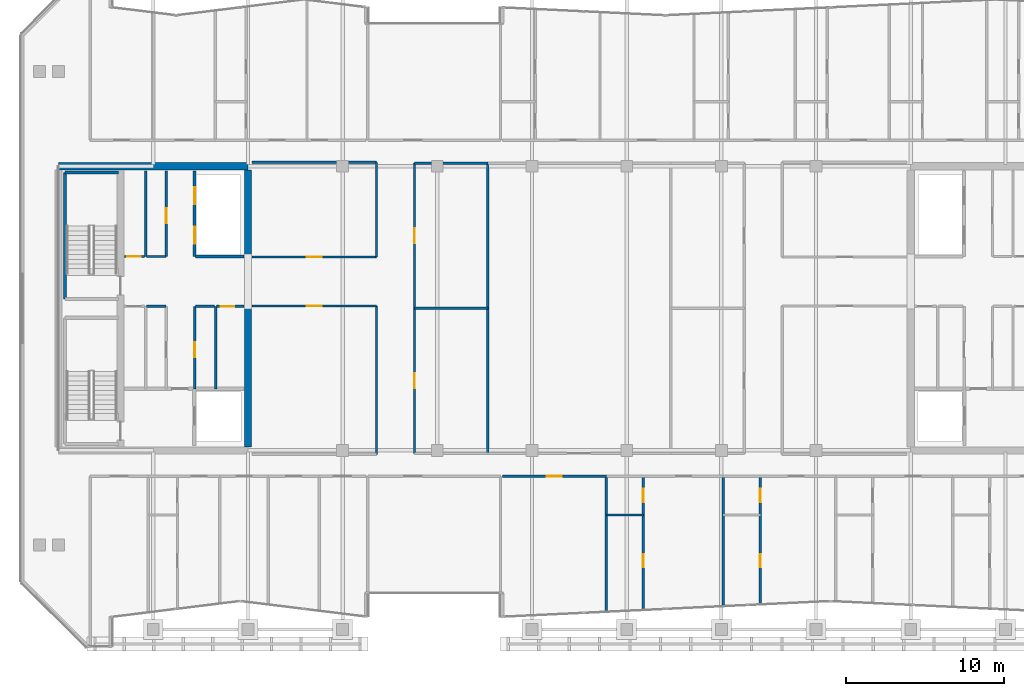
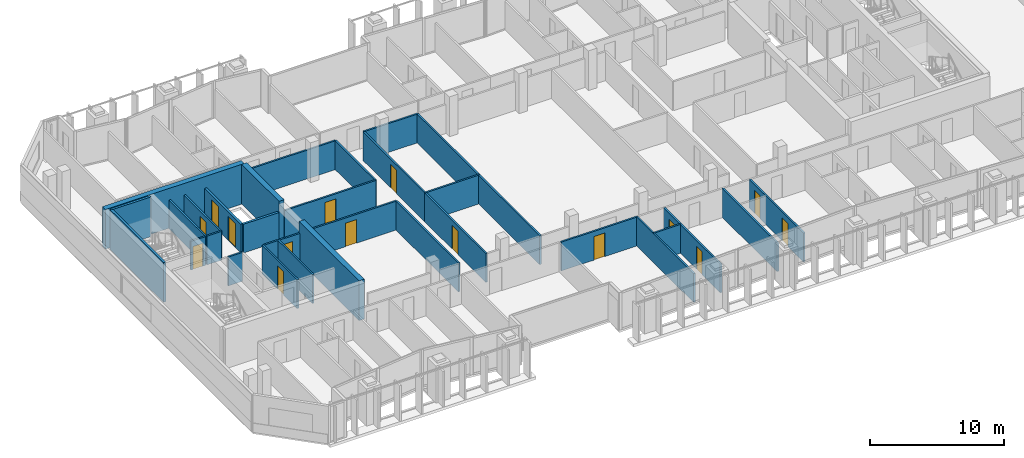
# One storey, part 22 of 32: 32 walls, 15 doors, 15 openings.
"""IFC4 building model written with IfcOpenShell, lengths in metres."""

from ifc_helpers import new_model, si_unit, direction, frame, frame_2d, origin, place, context, subcontext, project, spatial, rectangle, extrude, material, layer, layer_set, type_object, element, fill, save


model = new_model("IFC4")

# Units and contexts
model_context = context("Model", 3, precision=1e-05, world=origin(), true_north=direction((0.0, 1.0)))
body_context = subcontext(model_context, "Body", "Model", "MODEL_VIEW")
ifc_project = project(units=[si_unit("LENGTHUNIT", "METRE"), si_unit("AREAUNIT", "SQUARE_METRE"), si_unit("VOLUMEUNIT", "CUBIC_METRE"), si_unit("PLANEANGLEUNIT", "RADIAN"), si_unit("MASSUNIT", "GRAM", prefix="KILO")], contexts=[model_context])

# Site, building, storey
site_placement = place(None, origin())
site = spatial("IfcSite", under=ifc_project, at=site_placement, CompositionType="ELEMENT")
building_placement = place(site_placement, origin())
building = spatial("IfcBuilding", under=site, at=building_placement, Name="Tanjung Sevakor Pilgrim Tower", CompositionType="ELEMENT")
storey_placement = place(building_placement, frame((0.0, 0.0, 211.860107421875)))
storey = spatial("IfcBuildingStorey", under=building, at=storey_placement, Name="L59", CompositionType="ELEMENT", Elevation=211.860107421875)

# Walls
ifc_material_1 = material(Name="Concrete C60/75", Category="concrete")
ifc_layer_1 = layer(ifc_material_1, 0.449951171875)
ifc_layer_set_1 = layer_set([ifc_layer_1], Name="WALL-CW-450")
wall_type_1 = type_object("IfcWallType", Name="WALL-CW-450", PredefinedType="SHEAR", material=ifc_layer_set_1)
wall_1_placement = place(storey_placement, frame((36.0, 42.60009765625, 0.0), z_axis=(0.0, 0.0, 1.0), x_axis=(-1.0, 0.0, 0.0)))
element("IfcWall", 1, at=wall_1_placement, inside=storey, type_object=wall_type_1, Name="L59 W Core North Shear Wall", PredefinedType="SHEAR", context=body_context, shape_type="SweptSolid", body=[
    extrude(rectangle(XDim=12.0, YDim=0.449951171875, at=frame_2d((6.0, 0.0))), origin(), (0.0, 0.0, 1.0), 3.6298828125),
])
wall_2_placement = place(storey_placement, frame((36.0, 24.824951171875, 0.0), z_axis=(0.0, 0.0, 1.0), x_axis=(0.0, 1.0, 0.0)))
element("IfcWall", 2, at=wall_2_placement, inside=storey, type_object=wall_type_1, Name="L59 W Core Inner Shear Wall South", PredefinedType="SHEAR", context=body_context, shape_type="SweptSolid", body=[
    extrude(rectangle(XDim=8.97509765625, YDim=0.449951171875, at=frame_2d((4.487548828125, 0.0))), origin(), (0.0, 0.0, 1.0), 3.6298828125),
])
wall_3_placement = place(storey_placement, frame((36.0, 36.800048828125, 0.0), z_axis=(0.0, 0.0, 1.0), x_axis=(0.0, 1.0, 0.0)))
element("IfcWall", 3, at=wall_3_placement, inside=storey, type_object=wall_type_1, Name="L59 W Core Inner Shear Wall North", PredefinedType="SHEAR", context=body_context, shape_type="SweptSolid", body=[
    extrude(rectangle(XDim=5.574951171875, YDim=0.449951171875, at=frame_2d((2.78759765625, 0.0))), origin(), (0.0, 0.0, 1.0), 3.6298828125),
])
ifc_material_2 = material(Name="Concrete C40/50", Category="concrete")
ifc_layer_2 = layer(ifc_material_2, 0.14990234375)
ifc_layer_set_2 = layer_set([ifc_layer_2], Name="WT-COMP-150")
wall_type_2 = type_object("IfcWallType", Name="WT-COMP-150", PredefinedType="SOLIDWALL", material=ifc_layer_set_2)
wall_4_placement = place(storey_placement, frame((29.580078125, 33.719970703125, 0.0), z_axis=(0.0, 0.0, 1.0), x_axis=(1.0, 0.0, 0.0)))
element("IfcWall", 4, at=wall_4_placement, inside=storey, type_object=wall_type_2, Name="L59 Partition IW-L59-005", PredefinedType="SOLIDWALL", context=body_context, shape_type="SweptSolid", body=[
    extrude(rectangle(XDim=1.219970703125, YDim=0.14990234375, at=frame_2d((0.60986328125, 0.0))), origin(), (0.0, 0.0, 1.0), 2.6298828125),
])
wall_5_placement = place(storey_placement, frame((33.949951171875, 28.5, 0.0), z_axis=(0.0, 0.0, 1.0), x_axis=(0.0, 1.0, 0.0)))
element("IfcWall", 5, at=wall_5_placement, inside=storey, type_object=wall_type_2, Name="L59 Partition IW-L59-007", PredefinedType="SOLIDWALL", context=body_context, shape_type="SweptSolid", body=[
    extrude(rectangle(XDim=5.219970703125, YDim=0.14990234375, at=frame_2d((2.60986328125, 0.0))), origin(), (0.0, 0.0, 1.0), 2.6298828125),
])
wall_6_placement = place(storey_placement, frame((32.679931640625, 33.719970703125, 0.0), z_axis=(0.0, 0.0, 1.0), x_axis=(1.0, 0.0, 0.0)))
element("IfcWall", 6, at=wall_6_placement, inside=storey, type_object=wall_type_2, Name="L59 Partition IW-L59-008", PredefinedType="SOLIDWALL", context=body_context, shape_type="SweptSolid", body=[
    extrude(rectangle(XDim=1.2099609375, YDim=0.14990234375, at=frame_2d((0.60498046875, 0.0))), origin(), (0.0, 0.0, 1.0), 2.6298828125),
])

# Wall, opening, door
wall_7_placement = place(storey_placement, frame((34.010009765625, 33.719970703125, 0.0), z_axis=(0.0, 0.0, 1.0), x_axis=(1.0, 0.0, 0.0)))
wall_7 = element("IfcWall", 7, at=wall_7_placement, inside=storey, type_object=wall_type_2, Name="L59 Partition IW-L59-009", PredefinedType="SOLIDWALL", context=body_context, shape_type="SweptSolid", body=[
    extrude(rectangle(XDim=1.744873046875, YDim=0.14990234375, at=frame_2d((0.87255859375, 0.0))), origin(), (0.0, 0.0, 1.0), 2.6298828125),
])
opening_1_placement = place(wall_7_placement, frame((0.280029296875, 0.0, 0.0)))
opening_1 = element("IfcOpeningElement", 8, at=opening_1_placement, cuts=wall_7, Name="Opening ID-FD3", PredefinedType="OPENING", context=body_context, shape_type="SweptSolid", body=[
    extrude(rectangle(XDim=0.85009765625, YDim=2.10009765625, at=frame_2d((0.425048828125, 1.050048828125))), frame((0.0, 0.0849609375, 0.0), z_axis=(0.0, -1.0, 0.0), x_axis=(1.0, 0.0, 0.0)), (0.0, 0.0, 1.0), 0.169921875),
])
ifc_material_3 = material(Name="Fire-Rated Timber", Category="wood")
door_type_1 = type_object("IfcDoorType", Name="DT-FIRE-850", OperationType="NOTDEFINED", PredefinedType="DOOR", material=ifc_material_3)
door_1_placement = place(opening_1_placement, origin())
door_1 = element("IfcDoor", 9, at=door_1_placement, inside=storey, type_object=door_type_1, Name="L59 Service Store Door", OperationType="SINGLE_SWING_LEFT", OverallHeight=2.10009765625, OverallWidth=0.85009765625, PredefinedType="DOOR", context=body_context, shape_type="SweptSolid", body=[
    extrude(rectangle(XDim=0.85009765625, YDim=2.10009765625, at=frame_2d((0.425048828125, 1.050048828125))), frame((0.0, 0.02490234375, 0.0), z_axis=(0.0, -1.0, 0.0), x_axis=(1.0, 0.0, 0.0)), (0.0, 0.0, 1.0), 0.050048828125),
])
fill(opening_1, door_1)

wall_8_placement = place(storey_placement, frame((32.6201171875, 28.5, 0.0), z_axis=(0.0, 0.0, 1.0), x_axis=(0.0, 1.0, 0.0)))
wall_8 = element("IfcWall", 10, at=wall_8_placement, inside=storey, type_object=wall_type_2, Name="L59 Partition IW-L59-010", PredefinedType="SOLIDWALL", context=body_context, shape_type="SweptSolid", body=[
    extrude(rectangle(XDim=5.219970703125, YDim=0.14990234375, at=frame_2d((2.60986328125, 0.0))), origin(), (0.0, 0.0, 1.0), 2.6298828125),
])
opening_2_placement = place(wall_8_placement, frame((2.0, 0.0, 0.0)))
opening_2 = element("IfcOpeningElement", 11, at=opening_2_placement, cuts=wall_8, Name="Opening ID-FD2", PredefinedType="OPENING", context=body_context, shape_type="SweptSolid", body=[
    extrude(rectangle(XDim=0.949951171875, YDim=2.14990234375, at=frame_2d((0.47509765625, 1.074951171875))), frame((0.0, 0.0849609375, 0.0), z_axis=(0.0, -1.0, 0.0), x_axis=(1.0, 0.0, 0.0)), (0.0, 0.0, 1.0), 0.169921875),
])
ifc_material_4 = material(Name="Fire-Rated Timber", Category="wood")
door_type_2 = type_object("IfcDoorType", Name="DT-FIRE-950", OperationType="NOTDEFINED", PredefinedType="DOOR", material=ifc_material_4)
door_2_placement = place(opening_2_placement, origin())
door_2 = element("IfcDoor", 12, at=door_2_placement, inside=storey, type_object=door_type_2, Name="L59 Accessible WC Door", OperationType="SINGLE_SWING_RIGHT", OverallHeight=2.14990234375, OverallWidth=0.949951171875, PredefinedType="DOOR", context=body_context, shape_type="SweptSolid", body=[
    extrude(rectangle(XDim=0.949951171875, YDim=2.14990234375, at=frame_2d((0.47509765625, 1.074951171875))), frame((0.0, 0.02490234375, 0.0), z_axis=(0.0, -1.0, 0.0), x_axis=(1.0, 0.0, 0.0)), (0.0, 0.0, 1.0), 0.050048828125),
])
fill(opening_2, door_2)

# Wall
wall_9_placement = place(storey_placement, frame((29.52001953125, 36.8798828125, 0.0), z_axis=(0.0, 0.0, 1.0), x_axis=(0.0, 1.0, 0.0)))
element("IfcWall", 13, at=wall_9_placement, inside=storey, type_object=wall_type_2, Name="L59 Partition IW-L59-011", PredefinedType="SOLIDWALL", context=body_context, shape_type="SweptSolid", body=[
    extrude(rectangle(XDim=5.420166015625, YDim=0.14990234375, at=frame_2d((2.7099609375, 0.0))), origin(), (0.0, 0.0, 1.0), 2.6298828125),
])

# Wall, opening, door
wall_10_placement = place(storey_placement, frame((28.169921875, 36.8798828125, 0.0), z_axis=(0.0, 0.0, 1.0), x_axis=(1.0, 0.0, 0.0)))
wall_10 = element("IfcWall", 14, at=wall_10_placement, inside=storey, type_object=wall_type_2, Name="L59 Partition IW-L59-012", PredefinedType="SOLIDWALL", context=body_context, shape_type="SweptSolid", body=[
    extrude(rectangle(XDim=1.280029296875, YDim=0.14990234375, at=frame_2d((0.64013671875, 0.0))), origin(), (0.0, 0.0, 1.0), 2.6298828125),
])
opening_3_placement = place(wall_10_placement, frame((0.179931640625, 0.0, 0.0)))
opening_3 = element("IfcOpeningElement", 15, at=opening_3_placement, cuts=wall_10, Name="Opening ID-FD3", PredefinedType="OPENING", context=body_context, shape_type="SweptSolid", body=[
    extrude(rectangle(XDim=0.85009765625, YDim=2.10009765625, at=frame_2d((0.425048828125, 1.050048828125))), frame((0.0, 0.0849609375, 0.0), z_axis=(0.0, -1.0, 0.0), x_axis=(1.0, 0.0, 0.0)), (0.0, 0.0, 1.0), 0.169921875),
])
door_3_placement = place(opening_3_placement, origin())
door_3 = element("IfcDoor", 16, at=door_3_placement, inside=storey, type_object=door_type_1, Name="L59 Service Store Door", OperationType="SINGLE_SWING_LEFT", OverallHeight=2.10009765625, OverallWidth=0.85009765625, PredefinedType="DOOR", context=body_context, shape_type="SweptSolid", body=[
    extrude(rectangle(XDim=0.85009765625, YDim=2.10009765625, at=frame_2d((0.425048828125, 1.050048828125))), frame((0.0, 0.02490234375, 0.0), z_axis=(0.0, -1.0, 0.0), x_axis=(1.0, 0.0, 0.0)), (0.0, 0.0, 1.0), 0.050048828125),
])
fill(opening_3, door_3)

# Wall
wall_11_placement = place(storey_placement, frame((29.580078125, 36.8798828125, 0.0), z_axis=(0.0, 0.0, 1.0), x_axis=(1.0, 0.0, 0.0)))
element("IfcWall", 17, at=wall_11_placement, inside=storey, type_object=wall_type_2, Name="L59 Partition IW-L59-013", PredefinedType="SOLIDWALL", context=body_context, shape_type="SweptSolid", body=[
    extrude(rectangle(XDim=1.219970703125, YDim=0.14990234375, at=frame_2d((0.60986328125, 0.0))), origin(), (0.0, 0.0, 1.0), 2.6298828125),
])

# Wall, opening, door
wall_12_placement = place(storey_placement, frame((30.820068359375, 36.8798828125, 0.0), z_axis=(0.0, 0.0, 1.0), x_axis=(0.0, 1.0, 0.0)))
wall_12 = element("IfcWall", 18, at=wall_12_placement, inside=storey, type_object=wall_type_2, Name="L59 Partition IW-L59-014", PredefinedType="SOLIDWALL", context=body_context, shape_type="SweptSolid", body=[
    extrude(rectangle(XDim=5.420166015625, YDim=0.14990234375, at=frame_2d((2.7099609375, 0.0))), origin(), (0.0, 0.0, 1.0), 2.6298828125),
])
opening_4_placement = place(wall_12_placement, frame((2.10009765625, 0.0, 0.0)))
opening_4 = element("IfcOpeningElement", 19, at=opening_4_placement, cuts=wall_12, Name="Opening ID-FD2", PredefinedType="OPENING", context=body_context, shape_type="SweptSolid", body=[
    extrude(rectangle(XDim=0.949951171875, YDim=2.14990234375, at=frame_2d((0.47509765625, 1.074951171875))), frame((0.0, 0.0849609375, 0.0), z_axis=(0.0, -1.0, 0.0), x_axis=(1.0, 0.0, 0.0)), (0.0, 0.0, 1.0), 0.169921875),
])
door_4_placement = place(opening_4_placement, origin())
door_4 = element("IfcDoor", 20, at=door_4_placement, inside=storey, type_object=door_type_2, Name="L59 Core Reading Room Door", OperationType="SINGLE_SWING_RIGHT", OverallHeight=2.14990234375, OverallWidth=0.949951171875, PredefinedType="DOOR", context=body_context, shape_type="SweptSolid", body=[
    extrude(rectangle(XDim=0.949951171875, YDim=2.14990234375, at=frame_2d((0.47509765625, 1.074951171875))), frame((0.0, 0.02490234375, 0.0), z_axis=(0.0, -1.0, 0.0), x_axis=(1.0, 0.0, 0.0)), (0.0, 0.0, 1.0), 0.050048828125),
])
fill(opening_4, door_4)

wall_13_placement = place(storey_placement, frame((36.2451171875, 33.75, 0.0), z_axis=(0.0, 0.0, 1.0), x_axis=(1.0, 0.0, 0.0)))
wall_13 = element("IfcWall", 21, at=wall_13_placement, inside=storey, type_object=wall_type_2, Name="L59 Partition IW-L59-034", PredefinedType="SOLIDWALL", context=body_context, shape_type="SweptSolid", body=[
    extrude(rectangle(XDim=7.90478515625, YDim=0.14990234375, at=frame_2d((3.952392578125, 0.0))), origin(), (0.0, 0.0, 1.0), 2.6298828125),
])
opening_5_placement = place(wall_13_placement, frame((3.4775390625, 0.0, 0.0)))
opening_5 = element("IfcOpeningElement", 22, at=opening_5_placement, cuts=wall_13, Name="Opening ID-RM1", PredefinedType="OPENING", context=body_context, shape_type="SweptSolid", body=[
    extrude(rectangle(XDim=0.949951171875, YDim=2.14990234375, at=frame_2d((0.47509765625, 1.074951171875))), frame((0.0, 0.0849609375, 0.0), z_axis=(0.0, -1.0, 0.0), x_axis=(1.0, 0.0, 0.0)), (0.0, 0.0, 1.0), 0.169921875),
])
ifc_material_5 = material(Name="Hardwood Timber", Category="wood")
door_type_3 = type_object("IfcDoorType", Name="DT-INT-950", OperationType="NOTDEFINED", PredefinedType="DOOR", material=ifc_material_5)
door_5_placement = place(opening_5_placement, origin())
door_5 = element("IfcDoor", 23, at=door_5_placement, inside=storey, type_object=door_type_3, Name="L59 West Inboard South Door", OperationType="SINGLE_SWING_LEFT", OverallHeight=2.14990234375, OverallWidth=0.949951171875, PredefinedType="DOOR", context=body_context, shape_type="SweptSolid", body=[
    extrude(rectangle(XDim=0.949951171875, YDim=2.14990234375, at=frame_2d((0.47509765625, 1.074951171875))), frame((0.0, 0.02490234375, 0.0), z_axis=(0.0, -1.0, 0.0), x_axis=(1.0, 0.0, 0.0)), (0.0, 0.0, 1.0), 0.050048828125),
])
fill(opening_5, door_5)

# Wall
wall_14_placement = place(storey_placement, frame((44.14990234375, 24.35009765625, 0.0), z_axis=(0.0, 0.0, 1.0), x_axis=(0.0, 1.0, 0.0)))
element("IfcWall", 24, at=wall_14_placement, inside=storey, type_object=wall_type_2, Name="L59 Partition IW-L59-035", PredefinedType="SOLIDWALL", context=body_context, shape_type="SweptSolid", body=[
    extrude(rectangle(XDim=9.39990234375, YDim=0.14990234375, at=frame_2d((4.699951171875, 0.0))), origin(), (0.0, 0.0, 1.0), 2.6298828125),
])

# Wall, opening, door
wall_15_placement = place(storey_placement, frame((36.2451171875, 36.85009765625, 0.0), z_axis=(0.0, 0.0, 1.0), x_axis=(1.0, 0.0, 0.0)))
wall_15 = element("IfcWall", 25, at=wall_15_placement, inside=storey, type_object=wall_type_2, Name="L59 Partition IW-L59-036", PredefinedType="SOLIDWALL", context=body_context, shape_type="SweptSolid", body=[
    extrude(rectangle(XDim=7.90478515625, YDim=0.14990234375, at=frame_2d((3.952392578125, 0.0))), origin(), (0.0, 0.0, 1.0), 2.6298828125),
])
opening_6_placement = place(wall_15_placement, frame((3.4775390625, 0.0, 0.0)))
opening_6 = element("IfcOpeningElement", 26, at=opening_6_placement, cuts=wall_15, Name="Opening ID-RM1", PredefinedType="OPENING", context=body_context, shape_type="SweptSolid", body=[
    extrude(rectangle(XDim=0.949951171875, YDim=2.14990234375, at=frame_2d((0.47509765625, 1.074951171875))), frame((0.0, 0.0849609375, 0.0), z_axis=(0.0, -1.0, 0.0), x_axis=(1.0, 0.0, 0.0)), (0.0, 0.0, 1.0), 0.169921875),
])
door_6_placement = place(opening_6_placement, origin())
door_6 = element("IfcDoor", 27, at=door_6_placement, inside=storey, type_object=door_type_3, Name="L59 West Inboard North Door", OperationType="SINGLE_SWING_RIGHT", OverallHeight=2.14990234375, OverallWidth=0.949951171875, PredefinedType="DOOR", context=body_context, shape_type="SweptSolid", body=[
    extrude(rectangle(XDim=0.949951171875, YDim=2.14990234375, at=frame_2d((0.47509765625, 1.074951171875))), frame((0.0, 0.02490234375, 0.0), z_axis=(0.0, -1.0, 0.0), x_axis=(1.0, 0.0, 0.0)), (0.0, 0.0, 1.0), 0.050048828125),
])
fill(opening_6, door_6)

# Walls
wall_16_placement = place(storey_placement, frame((36.2451171875, 42.85009765625, 0.0), z_axis=(0.0, 0.0, 1.0), x_axis=(1.0, 0.0, 0.0)))
element("IfcWall", 28, at=wall_16_placement, inside=storey, type_object=wall_type_2, Name="L59 Partition IW-L59-037", PredefinedType="SOLIDWALL", context=body_context, shape_type="SweptSolid", body=[
    extrude(rectangle(XDim=7.90478515625, YDim=0.14990234375, at=frame_2d((3.952392578125, 0.0))), origin(), (0.0, 0.0, 1.0), 2.6298828125),
])
wall_17_placement = place(storey_placement, frame((44.14990234375, 36.85009765625, 0.0), z_axis=(0.0, 0.0, 1.0), x_axis=(0.0, 1.0, 0.0)))
element("IfcWall", 29, at=wall_17_placement, inside=storey, type_object=wall_type_2, Name="L59 Partition IW-L59-038", PredefinedType="SOLIDWALL", context=body_context, shape_type="SweptSolid", body=[
    extrude(rectangle(XDim=6.0, YDim=0.14990234375, at=frame_2d((3.0, 0.0))), origin(), (0.0, 0.0, 1.0), 2.6298828125),
])
wall_18_placement = place(storey_placement, frame((46.550048828125, 33.60009765625, 0.0), z_axis=(0.0, 0.0, 1.0), x_axis=(1.0, 0.0, 0.0)))
element("IfcWall", 30, at=wall_18_placement, inside=storey, type_object=wall_type_2, Name="L59 Partition IW-L59-046", PredefinedType="SOLIDWALL", context=body_context, shape_type="SweptSolid", body=[
    extrude(rectangle(XDim=4.64990234375, YDim=0.14990234375, at=frame_2d((2.324951171875, 0.0))), origin(), (0.0, 0.0, 1.0), 2.6298828125),
])

# Wall, opening, door
wall_19_placement = place(storey_placement, frame((46.550048828125, 24.39990234375, 0.0), z_axis=(0.0, 0.0, 1.0), x_axis=(0.0, 1.0, 0.0)))
wall_19 = element("IfcWall", 31, at=wall_19_placement, inside=storey, type_object=wall_type_2, Name="L59 Partition IW-L59-047", PredefinedType="SOLIDWALL", context=body_context, shape_type="SweptSolid", body=[
    extrude(rectangle(XDim=9.2001953125, YDim=0.14990234375, at=frame_2d((4.60009765625, 0.0))), origin(), (0.0, 0.0, 1.0), 2.6298828125),
])
opening_7_placement = place(wall_19_placement, frame((4.125, 0.0, 0.0)))
opening_7 = element("IfcOpeningElement", 32, at=opening_7_placement, cuts=wall_19, Name="Opening ID-RM1", PredefinedType="OPENING", context=body_context, shape_type="SweptSolid", body=[
    extrude(rectangle(XDim=0.949951171875, YDim=2.14990234375, at=frame_2d((0.47509765625, 1.074951171875))), frame((0.0, 0.0849609375, 0.0), z_axis=(0.0, -1.0, 0.0), x_axis=(1.0, 0.0, 0.0)), (0.0, 0.0, 1.0), 0.169921875),
])
door_7_placement = place(opening_7_placement, origin())
door_7 = element("IfcDoor", 33, at=door_7_placement, inside=storey, type_object=door_type_3, Name="L59 Male Ablution Door", OperationType="SINGLE_SWING_LEFT", OverallHeight=2.14990234375, OverallWidth=0.949951171875, PredefinedType="DOOR", context=body_context, shape_type="SweptSolid", body=[
    extrude(rectangle(XDim=0.949951171875, YDim=2.14990234375, at=frame_2d((0.47509765625, 1.074951171875))), frame((0.0, 0.02490234375, 0.0), z_axis=(0.0, -1.0, 0.0), x_axis=(1.0, 0.0, 0.0)), (0.0, 0.0, 1.0), 0.050048828125),
])
fill(opening_7, door_7)

# Wall
wall_20_placement = place(storey_placement, frame((46.550048828125, 42.800048828125, 0.0), z_axis=(0.0, 0.0, 1.0), x_axis=(1.0, 0.0, 0.0)))
element("IfcWall", 34, at=wall_20_placement, inside=storey, type_object=wall_type_2, Name="L59 Partition IW-L59-048", PredefinedType="SOLIDWALL", context=body_context, shape_type="SweptSolid", body=[
    extrude(rectangle(XDim=4.64990234375, YDim=0.14990234375, at=frame_2d((2.324951171875, 0.0))), origin(), (0.0, 0.0, 1.0), 2.6298828125),
])

# Wall, opening, door
wall_21_placement = place(storey_placement, frame((46.550048828125, 33.60009765625, 0.0), z_axis=(0.0, 0.0, 1.0), x_axis=(0.0, 1.0, 0.0)))
wall_21 = element("IfcWall", 35, at=wall_21_placement, inside=storey, type_object=wall_type_2, Name="L59 Partition IW-L59-049", PredefinedType="SOLIDWALL", context=body_context, shape_type="SweptSolid", body=[
    extrude(rectangle(XDim=9.199951171875, YDim=0.14990234375, at=frame_2d((4.60009765625, 0.0))), origin(), (0.0, 0.0, 1.0), 2.6298828125),
])
opening_8_placement = place(wall_21_placement, frame((4.125, 0.0, 0.0)))
opening_8 = element("IfcOpeningElement", 36, at=opening_8_placement, cuts=wall_21, Name="Opening ID-RM1", PredefinedType="OPENING", context=body_context, shape_type="SweptSolid", body=[
    extrude(rectangle(XDim=0.949951171875, YDim=2.14990234375, at=frame_2d((0.47509765625, 1.074951171875))), frame((0.0, 0.0849609375, 0.0), z_axis=(0.0, -1.0, 0.0), x_axis=(1.0, 0.0, 0.0)), (0.0, 0.0, 1.0), 0.169921875),
])
door_8_placement = place(opening_8_placement, origin())
door_8 = element("IfcDoor", 37, at=door_8_placement, inside=storey, type_object=door_type_3, Name="L59 Male Washroom Door", OperationType="SINGLE_SWING_RIGHT", OverallHeight=2.14990234375, OverallWidth=0.949951171875, PredefinedType="DOOR", context=body_context, shape_type="SweptSolid", body=[
    extrude(rectangle(XDim=0.949951171875, YDim=2.14990234375, at=frame_2d((0.47509765625, 1.074951171875))), frame((0.0, 0.02490234375, 0.0), z_axis=(0.0, -1.0, 0.0), x_axis=(1.0, 0.0, 0.0)), (0.0, 0.0, 1.0), 0.050048828125),
])
fill(opening_8, door_8)

# Walls
wall_22_placement = place(storey_placement, frame((51.199951171875, 24.39990234375, 0.0), z_axis=(0.0, 0.0, 1.0), x_axis=(0.0, 1.0, 0.0)))
element("IfcWall", 38, at=wall_22_placement, inside=storey, type_object=wall_type_2, Name="L59 Partition IW-L59-052", PredefinedType="SOLIDWALL", context=body_context, shape_type="SweptSolid", body=[
    extrude(rectangle(XDim=18.400146484375, YDim=0.14990234375, at=frame_2d((9.2001953125, 0.0))), origin(), (0.0, 0.0, 1.0), 2.6298828125),
])
wall_23_placement = place(storey_placement, frame((58.70556640625, 14.361083984375, 0.0), z_axis=(0.0, 0.0, 1.0), x_axis=(0.0, 1.0, 0.0)))
element("IfcWall", 39, at=wall_23_placement, inside=storey, type_object=wall_type_2, Name="L59 Partition IW-L59-078", PredefinedType="SOLIDWALL", context=body_context, shape_type="SweptSolid", body=[
    extrude(rectangle(XDim=8.5888671875, YDim=0.14990234375, at=frame_2d((4.29443359375, 0.0))), origin(), (0.0, 0.0, 1.0), 2.6298828125),
])

# Wall, opening, door
wall_24_placement = place(storey_placement, frame((52.1201171875, 22.949951171875, 0.0), z_axis=(0.0, 0.0, 1.0), x_axis=(1.0, 0.0, 0.0)))
wall_24 = element("IfcWall", 40, at=wall_24_placement, inside=storey, type_object=wall_type_2, Name="L59 Partition IW-L59-079", PredefinedType="SOLIDWALL", context=body_context, shape_type="SweptSolid", body=[
    extrude(rectangle(XDim=6.58544921875, YDim=0.14990234375, at=frame_2d((3.292724609375, 0.0))), origin(), (0.0, 0.0, 1.0), 2.6298828125),
])
opening_9_placement = place(wall_24_placement, frame((2.81787109375, 0.0, 0.0)))
opening_9 = element("IfcOpeningElement", 41, at=opening_9_placement, cuts=wall_24, Name="Opening ID-FD2", PredefinedType="OPENING", context=body_context, shape_type="SweptSolid", body=[
    extrude(rectangle(XDim=0.949951171875, YDim=2.14990234375, at=frame_2d((0.47509765625, 1.074951171875))), frame((0.0, 0.0849609375, 0.0), z_axis=(0.0, -1.0, 0.0), x_axis=(1.0, 0.0, 0.0)), (0.0, 0.0, 1.0), 0.169921875),
])
door_9_placement = place(opening_9_placement, origin())
door_9 = element("IfcDoor", 42, at=door_9_placement, inside=storey, type_object=door_type_2, Name="Housekeeping Pantry Door", OperationType="SINGLE_SWING_LEFT", OverallHeight=2.14990234375, OverallWidth=0.949951171875, PredefinedType="DOOR", context=body_context, shape_type="SweptSolid", body=[
    extrude(rectangle(XDim=0.949951171875, YDim=2.14990234375, at=frame_2d((0.47509765625, 1.074951171875))), frame((0.0, 0.02490234375, 0.0), z_axis=(0.0, -1.0, 0.0), x_axis=(1.0, 0.0, 0.0)), (0.0, 0.0, 1.0), 0.050048828125),
])
fill(opening_9, door_9)

# Walls
wall_25_placement = place(storey_placement, frame((66.1142578125, 14.715576171875, 0.0), z_axis=(0.0, 0.0, 1.0), x_axis=(0.0, 1.0, 0.0)))
element("IfcWall", 43, at=wall_25_placement, inside=storey, type_object=wall_type_2, Name="L59 Partition IW-L59-080", PredefinedType="SOLIDWALL", context=body_context, shape_type="SweptSolid", body=[
    extrude(rectangle(XDim=8.234375, YDim=0.14990234375, at=frame_2d((4.1171875, 0.0))), origin(), (0.0, 0.0, 1.0), 2.6298828125),
])
ifc_material_6 = material(Name="Concrete C40/50", Category="concrete")
ifc_layer_3 = layer(ifc_material_6, 0.199951171875)
ifc_layer_set_3 = layer_set([ifc_layer_3], Name="WT-FIRE-200")
wall_type_3 = type_object("IfcWallType", Name="WT-FIRE-200", PredefinedType="SOLIDWALL", material=ifc_layer_set_3)
wall_26_placement = place(storey_placement, frame((27.800048828125, 42.199951171875, 0.0), z_axis=(0.0, 0.0, 1.0), x_axis=(-1.0, 0.0, 0.0)))
element("IfcWall", 44, at=wall_26_placement, inside=storey, type_object=wall_type_3, Name="L59 TS-W2 Shaft Wall 2", PredefinedType="SOLIDWALL", context=body_context, shape_type="SweptSolid", body=[
    extrude(rectangle(XDim=3.400146484375, YDim=0.199951171875, at=frame_2d((1.7001953125, 0.0))), origin(), (0.0, 0.0, 1.0), 3.6298828125),
])
wall_27_placement = place(storey_placement, frame((24.39990234375, 42.199951171875, 0.0), z_axis=(0.0, 0.0, 1.0), x_axis=(0.0, -1.0, 0.0)))
element("IfcWall", 45, at=wall_27_placement, inside=storey, type_object=wall_type_3, Name="L59 TS-W2 Shaft Wall 3", PredefinedType="SOLIDWALL", context=body_context, shape_type="SweptSolid", body=[
    extrude(rectangle(XDim=8.0, YDim=0.199951171875, at=frame_2d((4.0, 0.0))), origin(), (0.0, 0.0, 1.0), 3.6298828125),
])
ifc_material_7 = material(Name="Concrete C40/50", Category="concrete")
ifc_layer_4 = layer(ifc_material_7, 0.199951171875)
ifc_layer_set_4 = layer_set([ifc_layer_4], Name="WT-FPRT-200")
wall_type_4 = type_object("IfcWallType", Name="WT-FPRT-200", PredefinedType="SOLIDWALL", material=ifc_layer_set_4)
wall_28_placement = place(storey_placement, frame((32.679931640625, 36.8798828125, 0.0), z_axis=(0.0, 0.0, 1.0), x_axis=(1.0, 0.0, 0.0)))
element("IfcWall", 46, at=wall_28_placement, inside=storey, type_object=wall_type_4, Name="L59 Partition IW-L59-015", PredefinedType="SOLIDWALL", context=body_context, shape_type="SweptSolid", body=[
    extrude(rectangle(XDim=3.074951171875, YDim=0.199951171875, at=frame_2d((1.53759765625, 0.0))), origin(), (0.0, 0.0, 1.0), 2.6298828125),
])

# Wall, openings, doors
wall_29_placement = place(storey_placement, frame((32.6201171875, 36.8798828125, 0.0), z_axis=(0.0, 0.0, 1.0), x_axis=(0.0, 1.0, 0.0)))
wall_29 = element("IfcWall", 47, at=wall_29_placement, inside=storey, type_object=wall_type_4, Name="L59 Partition IW-L59-016", PredefinedType="SOLIDWALL", context=body_context, shape_type="SweptSolid", body=[
    extrude(rectangle(XDim=5.420166015625, YDim=0.199951171875, at=frame_2d((2.7099609375, 0.0))), origin(), (0.0, 0.0, 1.0), 2.6298828125),
])
opening_10_placement = place(wall_29_placement, frame((0.800048828125, 0.0, 0.0)))
opening_10 = element("IfcOpeningElement", 48, at=opening_10_placement, cuts=wall_29, Name="Opening LD-1100", PredefinedType="OPENING", context=body_context, shape_type="SweptSolid", body=[
    extrude(rectangle(XDim=1.10009765625, YDim=2.199951171875, at=frame_2d((0.550048828125, 1.10009765625))), frame((0.0, 0.10986328125, 0.0), z_axis=(0.0, -1.0, 0.0), x_axis=(1.0, 0.0, 0.0)), (0.0, 0.0, 1.0), 0.219970703125),
])
opening_11_placement = place(wall_29_placement, frame((3.300048828125, 0.0, 0.0)))
opening_11 = element("IfcOpeningElement", 49, at=opening_11_placement, cuts=wall_29, Name="Opening LD-1100", PredefinedType="OPENING", context=body_context, shape_type="SweptSolid", body=[
    extrude(rectangle(XDim=1.10009765625, YDim=2.199951171875, at=frame_2d((0.550048828125, 1.10009765625))), frame((0.0, 0.10986328125, 0.0), z_axis=(0.0, -1.0, 0.0), x_axis=(1.0, 0.0, 0.0)), (0.0, 0.0, 1.0), 0.219970703125),
])
ifc_material_8 = material(Name="Brushed Stainless Steel S355J2", Category="steel")
door_type_4 = type_object("IfcDoorType", Name="DT-LIFT-1100", OperationType="SLIDING_TO_LEFT", PredefinedType="DOOR", material=ifc_material_8)
door_10_placement = place(opening_10_placement, origin())
door_10 = element("IfcDoor", 50, at=door_10_placement, inside=storey, type_object=door_type_4, Name="LD-PLH1-W", OperationType="SLIDING_TO_LEFT", OverallHeight=2.199951171875, OverallWidth=1.10009765625, PredefinedType="DOOR", context=body_context, shape_type="SweptSolid", body=[
    extrude(rectangle(XDim=1.10009765625, YDim=2.199951171875, at=frame_2d((0.550048828125, 1.10009765625))), frame((0.0, 0.02490234375, 0.0), z_axis=(0.0, -1.0, 0.0), x_axis=(1.0, 0.0, 0.0)), (0.0, 0.0, 1.0), 0.050048828125),
])
fill(opening_10, door_10)
door_11_placement = place(opening_11_placement, origin())
door_11 = element("IfcDoor", 51, at=door_11_placement, inside=storey, type_object=door_type_4, Name="LD-PLH2-W", OperationType="SLIDING_TO_RIGHT", OverallHeight=2.199951171875, OverallWidth=1.10009765625, PredefinedType="DOOR", context=body_context, shape_type="SweptSolid", body=[
    extrude(rectangle(XDim=1.10009765625, YDim=2.199951171875, at=frame_2d((0.550048828125, 1.10009765625))), frame((0.0, 0.02490234375, 0.0), z_axis=(0.0, -1.0, 0.0), x_axis=(1.0, 0.0, 0.0)), (0.0, 0.0, 1.0), 0.050048828125),
])
fill(opening_11, door_11)

# Wall
ifc_material_9 = material(Name="Gypsum Board Partition", Category="gypsum board")
ifc_layer_5 = layer(ifc_material_9, 0.14990234375)
ifc_layer_set_5 = layer_set([ifc_layer_5], Name="WT-PART-150")
wall_type_5 = type_object("IfcWallType", Name="WT-PART-150", PredefinedType="PARTITIONING", material=ifc_layer_set_5)
wall_30_placement = place(storey_placement, frame((58.70556640625, 20.5, 0.0), z_axis=(0.0, 0.0, 1.0), x_axis=(1.0, 0.0, 0.0)))
element("IfcWall", 52, at=wall_30_placement, inside=storey, type_object=wall_type_5, Name="L59 Partition IW-L59-081", PredefinedType="PARTITIONING", context=body_context, shape_type="SweptSolid", body=[
    extrude(rectangle(XDim=2.349853515625, YDim=0.14990234375, at=frame_2d((1.1748046875, 0.0))), origin(), (0.0, 0.0, 1.0), 2.6298828125),
])

# Wall, openings, doors
wall_31_placement = place(storey_placement, frame((61.055419921875, 14.473388671875, 0.0), z_axis=(0.0, 0.0, 1.0), x_axis=(0.0, 1.0, 0.0)))
wall_31 = element("IfcWall", 53, at=wall_31_placement, inside=storey, type_object=wall_type_5, Name="L59 Partition IW-L59-082", PredefinedType="PARTITIONING", context=body_context, shape_type="SweptSolid", body=[
    extrude(rectangle(XDim=8.4765625, YDim=0.14990234375, at=frame_2d((4.23828125, 0.0))), origin(), (0.0, 0.0, 1.0), 2.6298828125),
])
opening_12_placement = place(wall_31_placement, frame((2.70654296875, 0.0, 0.0)))
opening_12 = element("IfcOpeningElement", 54, at=opening_12_placement, cuts=wall_31, Name="Opening ID-WC1", PredefinedType="OPENING", context=body_context, shape_type="SweptSolid", body=[
    extrude(rectangle(XDim=0.85009765625, YDim=2.10009765625, at=frame_2d((0.425048828125, 1.050048828125))), frame((0.0, 0.0849609375, 0.0), z_axis=(0.0, -1.0, 0.0), x_axis=(1.0, 0.0, 0.0)), (0.0, 0.0, 1.0), 0.169921875),
])
opening_13_placement = place(wall_31_placement, frame((6.82666015625, 0.0, 0.0)))
opening_13 = element("IfcOpeningElement", 55, at=opening_13_placement, cuts=wall_31, Name="Opening ID-WC1", PredefinedType="OPENING", context=body_context, shape_type="SweptSolid", body=[
    extrude(rectangle(XDim=0.85009765625, YDim=2.10009765625, at=frame_2d((0.425048828125, 1.050048828125))), frame((0.0, 0.0849609375, 0.0), z_axis=(0.0, -1.0, 0.0), x_axis=(1.0, 0.0, 0.0)), (0.0, 0.0, 1.0), 0.169921875),
])
ifc_material_10 = material(Name="Moisture-Resistant Timber", Category="wood")
door_type_5 = type_object("IfcDoorType", Name="DT-INT-850", OperationType="NOTDEFINED", PredefinedType="DOOR", material=ifc_material_10)
door_12_placement = place(opening_12_placement, origin())
door_12 = element("IfcDoor", 56, at=door_12_placement, inside=storey, type_object=door_type_5, Name="Study Nook Door", OperationType="SINGLE_SWING_RIGHT", OverallHeight=2.10009765625, OverallWidth=0.85009765625, PredefinedType="DOOR", context=body_context, shape_type="SweptSolid", body=[
    extrude(rectangle(XDim=0.85009765625, YDim=2.10009765625, at=frame_2d((0.425048828125, 1.050048828125))), frame((0.0, 0.02490234375, 0.0), z_axis=(0.0, -1.0, 0.0), x_axis=(1.0, 0.0, 0.0)), (0.0, 0.0, 1.0), 0.050048828125),
])
fill(opening_12, door_12)
door_13_placement = place(opening_13_placement, origin())
door_13 = element("IfcDoor", 57, at=door_13_placement, inside=storey, type_object=door_type_5, Name="Bathroom Door", OperationType="SINGLE_SWING_LEFT", OverallHeight=2.10009765625, OverallWidth=0.85009765625, PredefinedType="DOOR", context=body_context, shape_type="SweptSolid", body=[
    extrude(rectangle(XDim=0.85009765625, YDim=2.10009765625, at=frame_2d((0.425048828125, 1.050048828125))), frame((0.0, 0.02490234375, 0.0), z_axis=(0.0, -1.0, 0.0), x_axis=(1.0, 0.0, 0.0)), (0.0, 0.0, 1.0), 0.050048828125),
])
fill(opening_13, door_13)

wall_32_placement = place(storey_placement, frame((68.464111328125, 14.827880859375, 0.0), z_axis=(0.0, 0.0, 1.0), x_axis=(0.0, 1.0, 0.0)))
wall_32 = element("IfcWall", 58, at=wall_32_placement, inside=storey, type_object=wall_type_5, Name="L59 Partition IW-L59-086", PredefinedType="PARTITIONING", context=body_context, shape_type="SweptSolid", body=[
    extrude(rectangle(XDim=8.1220703125, YDim=0.14990234375, at=frame_2d((4.06103515625, 0.0))), origin(), (0.0, 0.0, 1.0), 2.6298828125),
])
opening_14_placement = place(wall_32_placement, frame((2.35205078125, 0.0, 0.0)))
opening_14 = element("IfcOpeningElement", 59, at=opening_14_placement, cuts=wall_32, Name="Opening ID-WC1", PredefinedType="OPENING", context=body_context, shape_type="SweptSolid", body=[
    extrude(rectangle(XDim=0.85009765625, YDim=2.10009765625, at=frame_2d((0.425048828125, 1.050048828125))), frame((0.0, 0.0849609375, 0.0), z_axis=(0.0, -1.0, 0.0), x_axis=(1.0, 0.0, 0.0)), (0.0, 0.0, 1.0), 0.169921875),
])
opening_15_placement = place(wall_32_placement, frame((6.47216796875, 0.0, 0.0)))
opening_15 = element("IfcOpeningElement", 60, at=opening_15_placement, cuts=wall_32, Name="Opening ID-WC1", PredefinedType="OPENING", context=body_context, shape_type="SweptSolid", body=[
    extrude(rectangle(XDim=0.85009765625, YDim=2.10009765625, at=frame_2d((0.425048828125, 1.050048828125))), frame((0.0, 0.0849609375, 0.0), z_axis=(0.0, -1.0, 0.0), x_axis=(1.0, 0.0, 0.0)), (0.0, 0.0, 1.0), 0.169921875),
])
door_14_placement = place(opening_14_placement, origin())
door_14 = element("IfcDoor", 61, at=door_14_placement, inside=storey, type_object=door_type_5, Name="Study Nook Door", OperationType="SINGLE_SWING_LEFT", OverallHeight=2.10009765625, OverallWidth=0.85009765625, PredefinedType="DOOR", context=body_context, shape_type="SweptSolid", body=[
    extrude(rectangle(XDim=0.85009765625, YDim=2.10009765625, at=frame_2d((0.425048828125, 1.050048828125))), frame((0.0, 0.02490234375, 0.0), z_axis=(0.0, -1.0, 0.0), x_axis=(1.0, 0.0, 0.0)), (0.0, 0.0, 1.0), 0.050048828125),
])
fill(opening_14, door_14)
door_15_placement = place(opening_15_placement, origin())
door_15 = element("IfcDoor", 62, at=door_15_placement, inside=storey, type_object=door_type_5, Name="Bathroom Door", OperationType="SINGLE_SWING_RIGHT", OverallHeight=2.10009765625, OverallWidth=0.85009765625, PredefinedType="DOOR", context=body_context, shape_type="SweptSolid", body=[
    extrude(rectangle(XDim=0.85009765625, YDim=2.10009765625, at=frame_2d((0.425048828125, 1.050048828125))), frame((0.0, 0.02490234375, 0.0), z_axis=(0.0, -1.0, 0.0), x_axis=(1.0, 0.0, 0.0)), (0.0, 0.0, 1.0), 0.050048828125),
])
fill(opening_15, door_15)

save(model, "model.ifc")
